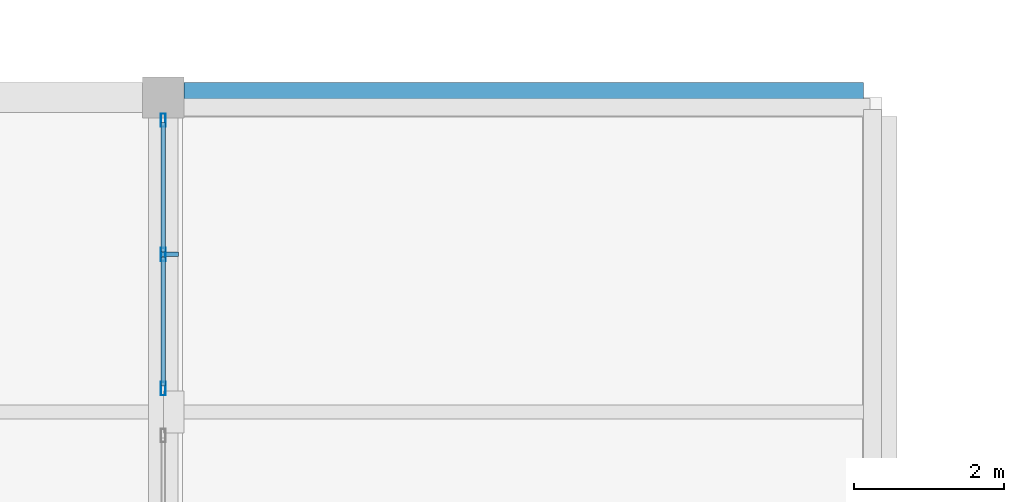
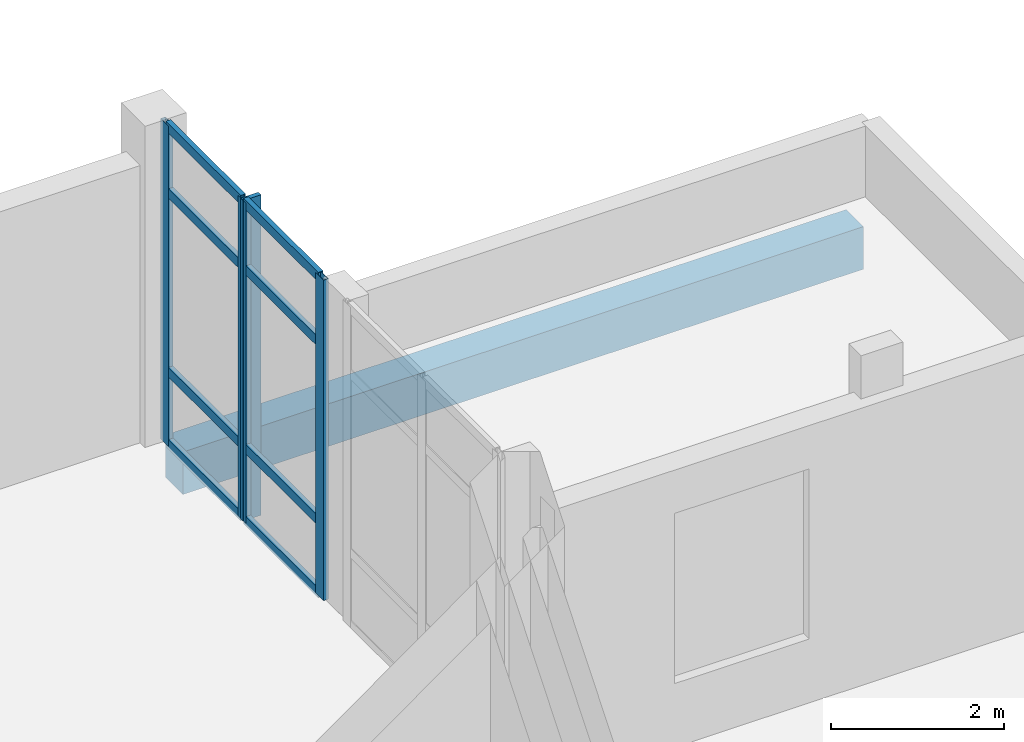
# One storey, part 73 of 102: 12 members, 1 beam, 1 element without a shape of its own.
"""IFC4 building model written with IfcOpenShell, lengths in metres."""

from ifc_helpers import new_model, si_unit, direction, frame, origin, origin_2d, place, context, subcontext, project, spatial, rectangle, hollow_rectangle, extrude, material, layer, layer_set, material_profile, profile_set, type_object, element, aggregate, save


model = new_model("IFC4")

# Units and contexts
model_context = context("Model", 3, precision=1e-05, world=origin(), true_north=direction((0.0, 1.0)))
body_context = subcontext(model_context, "Body", "Model", "MODEL_VIEW")
ifc_project = project(units=[si_unit("LENGTHUNIT", "METRE"), si_unit("AREAUNIT", "SQUARE_METRE"), si_unit("VOLUMEUNIT", "CUBIC_METRE"), si_unit("PLANEANGLEUNIT", "RADIAN"), si_unit("MASSUNIT", "GRAM", prefix="KILO")], contexts=[model_context])

# Site, building, storey
site_placement = place(None, origin())
site = spatial("IfcSite", under=ifc_project, at=site_placement, CompositionType="ELEMENT")
building_placement = place(site_placement, origin())
building = spatial("IfcBuilding", under=site, at=building_placement, Name="Lornevale Opera House", CompositionType="ELEMENT")
storey_placement = place(building_placement, frame((0.0, 0.0, 5.39990234375)))
storey = spatial("IfcBuildingStorey", under=building, at=storey_placement, Name="L02", CompositionType="ELEMENT", Elevation=5.39990234375)

# Beam
ifc_material_1 = material(Name="Concrete 35 MPa (CSA A23.1 N)", Category="concrete")
ifc_material_profile_1 = material_profile(ifc_material_1, rectangle(XDim=0.39990234375, YDim=0.60009765625, at=origin_2d()), Name="RC400x600")
ifc_profile_set_1 = profile_set([ifc_material_profile_1], Name="Concrete 35 MPa (CSA A23.1 N)")
beam_type = type_object("IfcBeamType", Name="Concrete Spandrel Beam 400x600", PredefinedType="SPANDREL", material=ifc_profile_set_1)
beam_placement = place(storey_placement, frame((144.27490234375, 84.0, -0.599853515625), z_axis=(1.0, 0.0, 0.0), x_axis=(0.0, 1.0, 0.0)))
element("IfcBeam", 1, at=beam_placement, inside=storey, type_object=beam_type, Name="Concrete Spandrel Beam 400x600 1791", PredefinedType="SPANDREL", context=body_context, shape_type="SweptSolid", body=[
    extrude(rectangle(XDim=0.39990234375, YDim=0.60009765625, at=origin_2d()), origin(), (0.0, 0.0, 1.0), 9.0751953125),
])

# Curtain wall, members
ifc_material_2 = material(Name="Anodized Oxide-Green Aluminium Framing", Category="aluminium")
ifc_layer = layer(ifc_material_2, 0.179931640625)
ifc_layer_set = layer_set([ifc_layer], Name="Anodized Oxide-Green Aluminium Framing")
curtain_wall_type = type_object("IfcCurtainWallType", Name="Promenade Gallery Curtain Wall M1800", PredefinedType="NOTDEFINED", material=ifc_layer_set)
curtain_wall_placement = place(storey_placement, origin())
curtain_wall = element("IfcCurtainWall", 2, at=curtain_wall_placement, inside=storey, type_object=curtain_wall_type, Name="Promenade Gallery Curtain Wall M1800 CW-078", PredefinedType="NOTDEFINED")
ifc_material_profile_2 = material_profile(ifc_material_2, hollow_rectangle(XDim=0.06494140625, YDim=0.179931640625, WallThickness=0.0048828125, at=origin_2d()), Name="ALU65x180x5")
ifc_profile_set_2 = profile_set([ifc_material_profile_2], Name="Anodized Oxide-Green Aluminium Framing")
member_type_1 = type_object("IfcMemberType", Name="Curtain Wall Mullion 65x180", PredefinedType="MULLION", material=ifc_profile_set_2)
member_1_placement = place(storey_placement, frame((144.0, 83.696533203125, 0.0), z_axis=(0.0, 0.0, 1.0), x_axis=(1.0, 0.0, 0.0)))
member_1 = element("IfcMember", 3, at=member_1_placement, type_object=member_type_1, Name="Curtain Wall Mullion 65x180 CW1582", PredefinedType="MULLION", context=body_context, shape_type="SweptSolid", body=[
    extrude(hollow_rectangle(XDim=0.06494140625, YDim=0.179931640625, WallThickness=0.0048828125, at=origin_2d()), origin(), (0.0, 0.0, 1.0), 4.52001953125),
])
member_2_placement = place(storey_placement, frame((144.0, 81.904541015625, 0.0), z_axis=(0.0, 0.0, 1.0), x_axis=(1.0, 0.0, 0.0)))
member_2 = element("IfcMember", 4, at=member_2_placement, type_object=member_type_1, Name="Curtain Wall Mullion 65x180 CW1583", PredefinedType="MULLION", context=body_context, shape_type="SweptSolid", body=[
    extrude(hollow_rectangle(XDim=0.06494140625, YDim=0.179931640625, WallThickness=0.0048828125, at=origin_2d()), origin(), (0.0, 0.0, 1.0), 4.52001953125),
])
member_3_placement = place(storey_placement, frame((144.0, 80.112548828125, 0.0), z_axis=(0.0, 0.0, 1.0), x_axis=(1.0, 0.0, 0.0)))
member_3 = element("IfcMember", 5, at=member_3_placement, type_object=member_type_1, Name="Curtain Wall Mullion 65x180 CW1584", PredefinedType="MULLION", context=body_context, shape_type="SweptSolid", body=[
    extrude(hollow_rectangle(XDim=0.06494140625, YDim=0.179931640625, WallThickness=0.0048828125, at=origin_2d()), origin(), (0.0, 0.0, 1.0), 4.52001953125),
])
ifc_material_profile_3 = material_profile(ifc_material_2, hollow_rectangle(XDim=0.06494140625, YDim=0.135009765625, WallThickness=0.00390625, at=origin_2d()), Name="ALU65x135x4")
ifc_profile_set_3 = profile_set([ifc_material_profile_3], Name="Anodized Oxide-Green Aluminium Framing")
member_type_2 = type_object("IfcMemberType", Name="Curtain Wall Transom 65x135", PredefinedType="USERDEFINED", material=ifc_profile_set_3)
member_4_placement = place(storey_placement, frame((144.0, 83.6640625, 0.03271484375), z_axis=(0.0, -1.0, 0.0), x_axis=(1.0, 0.0, 0.0)))
member_4 = element("IfcMember", 6, at=member_4_placement, type_object=member_type_2, Name="Curtain Wall Transom 65x135 CW1585", ObjectType="TRANSOM", PredefinedType="USERDEFINED", context=body_context, shape_type="SweptSolid", body=[
    extrude(hollow_rectangle(XDim=0.06494140625, YDim=0.135009765625, WallThickness=0.00390625, at=origin_2d()), origin(), (0.0, 0.0, 1.0), 1.72705078125),
])
member_5_placement = place(storey_placement, frame((144.0, 83.6640625, 1.050048828125), z_axis=(0.0, -1.0, 0.0), x_axis=(1.0, 0.0, 0.0)))
member_5 = element("IfcMember", 7, at=member_5_placement, type_object=member_type_2, Name="Curtain Wall Transom 65x135 CW1586", ObjectType="TRANSOM", PredefinedType="USERDEFINED", context=body_context, shape_type="SweptSolid", body=[
    extrude(hollow_rectangle(XDim=0.06494140625, YDim=0.135009765625, WallThickness=0.00390625, at=origin_2d()), origin(), (0.0, 0.0, 1.0), 1.72705078125),
])
member_6_placement = place(storey_placement, frame((144.0, 83.6640625, 3.570068359375), z_axis=(0.0, -1.0, 0.0), x_axis=(1.0, 0.0, 0.0)))
member_6 = element("IfcMember", 8, at=member_6_placement, type_object=member_type_2, Name="Curtain Wall Transom 65x135 CW1587", ObjectType="TRANSOM", PredefinedType="USERDEFINED", context=body_context, shape_type="SweptSolid", body=[
    extrude(hollow_rectangle(XDim=0.06494140625, YDim=0.135009765625, WallThickness=0.00390625, at=origin_2d()), origin(), (0.0, 0.0, 1.0), 1.72705078125),
])
member_7_placement = place(storey_placement, frame((144.0, 83.6640625, 4.487548828125), z_axis=(0.0, -1.0, 0.0), x_axis=(1.0, 0.0, 0.0)))
member_7 = element("IfcMember", 9, at=member_7_placement, type_object=member_type_2, Name="Curtain Wall Transom 65x135 CW1588", ObjectType="TRANSOM", PredefinedType="USERDEFINED", context=body_context, shape_type="SweptSolid", body=[
    extrude(hollow_rectangle(XDim=0.06494140625, YDim=0.135009765625, WallThickness=0.00390625, at=origin_2d()), origin(), (0.0, 0.0, 1.0), 1.72705078125),
])
member_8_placement = place(storey_placement, frame((144.0, 81.8720703125, 0.03271484375), z_axis=(0.0, -1.0, 0.0), x_axis=(1.0, 0.0, 0.0)))
member_8 = element("IfcMember", 10, at=member_8_placement, type_object=member_type_2, Name="Curtain Wall Transom 65x135 CW1592", ObjectType="TRANSOM", PredefinedType="USERDEFINED", context=body_context, shape_type="SweptSolid", body=[
    extrude(hollow_rectangle(XDim=0.06494140625, YDim=0.135009765625, WallThickness=0.00390625, at=origin_2d()), origin(), (0.0, 0.0, 1.0), 1.72705078125),
])
member_9_placement = place(storey_placement, frame((144.0, 81.8720703125, 1.050048828125), z_axis=(0.0, -1.0, 0.0), x_axis=(1.0, 0.0, 0.0)))
member_9 = element("IfcMember", 11, at=member_9_placement, type_object=member_type_2, Name="Curtain Wall Transom 65x135 CW1593", ObjectType="TRANSOM", PredefinedType="USERDEFINED", context=body_context, shape_type="SweptSolid", body=[
    extrude(hollow_rectangle(XDim=0.06494140625, YDim=0.135009765625, WallThickness=0.00390625, at=origin_2d()), origin(), (0.0, 0.0, 1.0), 1.72705078125),
])
member_10_placement = place(storey_placement, frame((144.0, 81.8720703125, 3.570068359375), z_axis=(0.0, -1.0, 0.0), x_axis=(1.0, 0.0, 0.0)))
member_10 = element("IfcMember", 12, at=member_10_placement, type_object=member_type_2, Name="Curtain Wall Transom 65x135 CW1594", ObjectType="TRANSOM", PredefinedType="USERDEFINED", context=body_context, shape_type="SweptSolid", body=[
    extrude(hollow_rectangle(XDim=0.06494140625, YDim=0.135009765625, WallThickness=0.00390625, at=origin_2d()), origin(), (0.0, 0.0, 1.0), 1.72705078125),
])
member_11_placement = place(storey_placement, frame((144.0, 81.8720703125, 4.487548828125), z_axis=(0.0, -1.0, 0.0), x_axis=(1.0, 0.0, 0.0)))
member_11 = element("IfcMember", 13, at=member_11_placement, type_object=member_type_2, Name="Curtain Wall Transom 65x135 CW1595", ObjectType="TRANSOM", PredefinedType="USERDEFINED", context=body_context, shape_type="SweptSolid", body=[
    extrude(hollow_rectangle(XDim=0.06494140625, YDim=0.135009765625, WallThickness=0.00390625, at=origin_2d()), origin(), (0.0, 0.0, 1.0), 1.72705078125),
])
ifc_material_3 = material(Name="Architectural Bronze Solar Louvre Alloy", Category="metal")
ifc_material_profile_4 = material_profile(ifc_material_3, rectangle(XDim=0.06005859375, YDim=0.239990234375, at=origin_2d()), Name="FIN60x240")
ifc_profile_set_4 = profile_set([ifc_material_profile_4], Name="Architectural Bronze Solar Louvre Alloy")
member_type_3 = type_object("IfcMemberType", Name="Solar Shading Fin 60x240", PredefinedType="USERDEFINED", material=ifc_profile_set_4)
member_12_placement = place(storey_placement, frame((144.083984375, 81.904541015625, 0.0), z_axis=(0.0, 0.0, 1.0), x_axis=(0.0, -1.0, 0.0)))
member_12 = element("IfcMember", 14, at=member_12_placement, type_object=member_type_3, Name="Solar Shading Fin 60x240 FIN0034", ObjectType="SOLAR FIN", PredefinedType="USERDEFINED", context=body_context, shape_type="SweptSolid", body=[
    extrude(rectangle(XDim=0.06005859375, YDim=0.239990234375, at=origin_2d()), origin(), (0.0, 0.0, 1.0), 4.52001953125),
])
aggregate(curtain_wall, [member_1, member_2, member_3, member_4, member_5, member_6, member_7, member_8, member_9, member_10, member_11, member_12])

save(model, "model.ifc")
